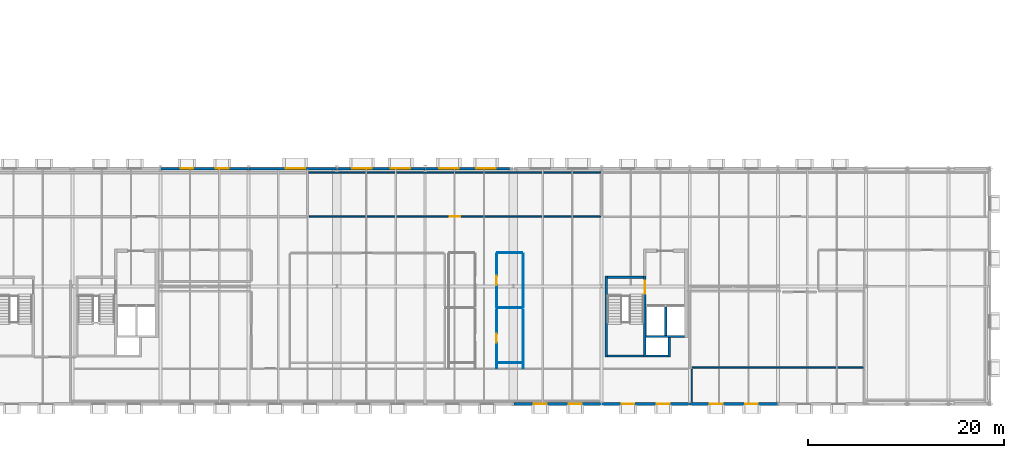
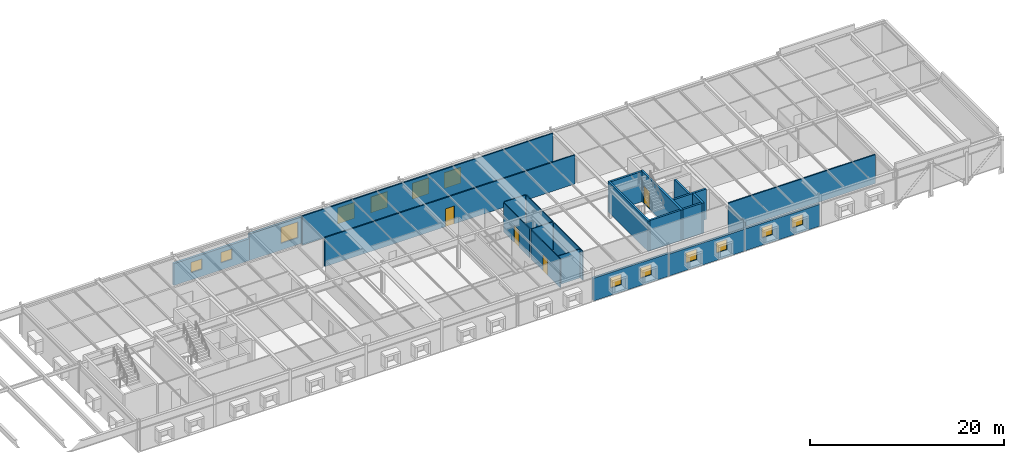
# One storey, part 31 of 36: 26 walls, 13 windows, 4 doors, 17 openings.
"""IFC4 building model written with IfcOpenShell, lengths in metres."""

from ifc_helpers import new_model, si_unit, direction, frame, frame_2d, origin, place, context, subcontext, project, spatial, rectangle, extrude, material, layer, layer_set, type_object, element, fill, save


model = new_model("IFC4")

# Units and contexts
model_context = context("Model", 3, precision=1e-05, world=origin(), true_north=direction((0.0, 1.0)))
body_context = subcontext(model_context, "Body", "Model", "MODEL_VIEW")
ifc_project = project(units=[si_unit("LENGTHUNIT", "METRE"), si_unit("AREAUNIT", "SQUARE_METRE"), si_unit("VOLUMEUNIT", "CUBIC_METRE"), si_unit("PLANEANGLEUNIT", "RADIAN"), si_unit("MASSUNIT", "GRAM", prefix="KILO")], contexts=[model_context])

# Site, building, storey
site_placement = place(None, origin())
site = spatial("IfcSite", under=ifc_project, at=site_placement, CompositionType="ELEMENT")
building_placement = place(site_placement, origin())
building = spatial("IfcBuilding", under=site, at=building_placement, Name="Montelvaro Courts of Justice", CompositionType="ELEMENT")
storey_placement = place(building_placement, frame((0.0, 0.0, 23.39990234375)))
storey = spatial("IfcBuildingStorey", under=building, at=storey_placement, Name="L05", CompositionType="ELEMENT", Elevation=23.39990234375)

# Wall, opening, door
ifc_material_1 = material(Name="Gypsum board on metal stud")
ifc_layer_1 = layer(ifc_material_1, 0.14990234375)
ifc_layer_set_1 = layer_set([ifc_layer_1], Name="Gypsum board on metal stud")
wall_type_1 = type_object("IfcWallType", Name="ChambersPartition_150", PredefinedType="PARTITIONING", material=ifc_layer_set_1)
wall_1_placement = place(storey_placement, frame((107.919921875, 19.10009765625, 0.0), z_axis=(0.0, 0.0, 1.0), x_axis=(-1.0, 0.0, 0.0)))
wall_1 = element("IfcWall", 1, at=wall_1_placement, inside=storey, type_object=wall_type_1, Name="Interior Partition IW-04 (L05)", PredefinedType="PARTITIONING", context=body_context, shape_type="SweptSolid", body=[
    extrude(rectangle(XDim=29.739990234375, YDim=0.14990234375, at=frame_2d((14.8701171875, 0.0))), origin(), (0.0, 0.0, 1.0), 3.64013671875),
])
opening_1_placement = place(wall_1_placement, frame((14.344970703125, 0.0, 0.0)))
opening_1 = element("IfcOpeningElement", 2, at=opening_1_placement, cuts=wall_1, Name="Opening D-L05-153", PredefinedType="OPENING", context=body_context, shape_type="SweptSolid", body=[
    extrude(rectangle(XDim=1.050048828125, YDim=2.25, at=frame_2d((0.52490234375, 1.125))), frame((0.0, 0.08984375, 0.0), z_axis=(0.0, -1.0, 0.0), x_axis=(1.0, 0.0, 0.0)), (0.0, 0.0, 1.0), 0.1796875),
])
ifc_material_2 = material(Name="Acoustic oak timber veneer", Category="wood")
door_type_1 = type_object("IfcDoorType", Name="ChamberDoor_105x225", OperationType="NOTDEFINED", PredefinedType="DOOR", material=ifc_material_2)
door_1_placement = place(opening_1_placement, frame((1.050048828125, 0.0, 0.0), z_axis=(0.0, 0.0, 1.0), x_axis=(-1.0, 0.0, 0.0)))
door_1 = element("IfcDoor", 3, at=door_1_placement, inside=storey, type_object=door_type_1, Name="Interior Door D-L05-153 (Jury Deliberation Suite 02)", OperationType="SINGLE_SWING_LEFT", OverallHeight=2.25, OverallWidth=1.050048828125, PredefinedType="DOOR", context=body_context, shape_type="SweptSolid", body=[
    extrude(rectangle(XDim=1.050048828125, YDim=2.25, at=frame_2d((0.52490234375, 1.125))), frame((0.0, 0.02490234375, 0.0), z_axis=(0.0, -1.0, 0.0), x_axis=(1.0, 0.0, 0.0)), (0.0, 0.0, 1.0), 0.050048828125),
])
fill(opening_1, door_1)

# Walls
wall_2_placement = place(storey_placement, frame((78.094970703125, 23.60009765625, 0.0), z_axis=(0.0, 0.0, 1.0), x_axis=(1.0, 0.0, 0.0)))
element("IfcWall", 4, at=wall_2_placement, inside=storey, type_object=wall_type_1, Name="Interior Partition IW-04 (L05)", PredefinedType="PARTITIONING", context=body_context, shape_type="SweptSolid", body=[
    extrude(rectangle(XDim=29.824951171875, YDim=0.14990234375, at=frame_2d((14.91259765625, 0.0))), origin(), (0.0, 0.0, 1.0), 3.64013671875),
])
wall_3_placement = place(storey_placement, frame((134.719970703125, 3.699951171875, 0.0), z_axis=(0.0, 0.0, 1.0), x_axis=(-1.0, 0.0, 0.0)))
element("IfcWall", 5, at=wall_3_placement, inside=storey, type_object=wall_type_1, Name="Interior Partition IW-04 (L05)", PredefinedType="PARTITIONING", context=body_context, shape_type="SweptSolid", body=[
    extrude(rectangle(XDim=17.43994140625, YDim=0.14990234375, at=frame_2d((8.719970703125, 0.0))), origin(), (0.0, 0.0, 1.0), 3.64013671875),
])

# Wall, opening, window
ifc_material_3 = material(Name="White mineral precast concrete C45/55", Category="concrete")
ifc_layer_2 = layer(ifc_material_3, 0.280029296875)
ifc_layer_set_2 = layer_set([ifc_layer_2], Name="White mineral precast concrete C45/55")
wall_type_2 = type_object("IfcWallType", Name="ExtWall_GFRC_280", PredefinedType="SOLIDWALL", material=ifc_layer_set_2)
wall_4_placement = place(storey_placement, frame((80.94189453125, 24.0, 0.0), z_axis=(0.0, 0.0, 1.0), x_axis=(-1.0, 0.0, 0.0)))
wall_4 = element("IfcWall", 6, at=wall_4_placement, inside=storey, type_object=wall_type_2, Name="Exterior Facade Wall EW-01 (L05)", PredefinedType="SOLIDWALL", context=body_context, shape_type="SweptSolid", body=[
    extrude(rectangle(XDim=8.933837890625, YDim=0.280029296875, at=frame_2d((4.466796875, 0.0))), origin(), (0.0, 0.0, 1.0), 3.315185546875),
])
opening_2_placement = place(wall_4_placement, frame((3.181884765625, 0.0, 0.85009765625)))
opening_2 = element("IfcOpeningElement", 7, at=opening_2_placement, cuts=wall_4, Name="Opening WE-11", PredefinedType="OPENING", context=body_context, shape_type="SweptSolid", body=[
    extrude(rectangle(XDim=2.0, YDim=2.0, at=frame_2d((1.0, 1.0))), frame((0.0, 0.15478515625, 0.0), z_axis=(0.0, -1.0, 0.0), x_axis=(1.0, 0.0, 0.0)), (0.0, 0.0, 1.0), 0.309814453125),
])
ifc_material_4 = material(Name="Low-E solar control double glazing", Category="glass")
window_type_1 = type_object("IfcWindowType", Name="Win_Sq_200x200", PartitioningType="SINGLE_PANEL", PredefinedType="WINDOW", material=ifc_material_4)
window_1_placement = place(opening_2_placement, origin())
window_1 = element("IfcWindow", 8, at=window_1_placement, inside=storey, type_object=window_type_1, Name="Window W-L05-245", OverallHeight=2.0, OverallWidth=2.0, PartitioningType="SINGLE_PANEL", PredefinedType="WINDOW", context=body_context, shape_type="SweptSolid", body=[
    extrude(rectangle(XDim=2.0, YDim=2.0, at=frame_2d((1.0, 1.0))), frame((0.0, 0.030029296875, 0.0), z_axis=(0.0, -1.0, 0.0), x_axis=(1.0, 0.0, 0.0)), (0.0, 0.0, 1.0), 0.06005859375),
])
fill(opening_2, window_1)

# Wall, openings, windows
wall_5_placement = place(storey_placement, frame((71.991943359375, 24.0, 0.0), z_axis=(0.0, 0.0, 1.0), x_axis=(-1.0, 0.0, 0.0)))
wall_5 = element("IfcWall", 9, at=wall_5_placement, inside=storey, type_object=wall_type_2, Name="Exterior Facade Wall EW-01 (L05)", PredefinedType="SOLIDWALL", context=body_context, shape_type="SweptSolid", body=[
    extrude(rectangle(XDim=8.98388671875, YDim=0.280029296875, at=frame_2d((4.491943359375, 0.0))), origin(), (0.0, 0.0, 1.0), 2.7470703125),
])
opening_3_placement = place(wall_5_placement, frame((2.044921875, 0.0, 0.89990234375)))
opening_3 = element("IfcOpeningElement", 10, at=opening_3_placement, cuts=wall_5, Name="Opening WE-18", PredefinedType="OPENING", context=body_context, shape_type="SweptSolid", body=[
    extrude(rectangle(XDim=1.300048828125, YDim=1.300048828125, at=frame_2d((0.64990234375, 0.64990234375))), frame((0.0, 0.15478515625, 0.0), z_axis=(0.0, -1.0, 0.0), x_axis=(1.0, 0.0, 0.0)), (0.0, 0.0, 1.0), 0.309814453125),
])
opening_4_placement = place(wall_5_placement, frame((5.638916015625, 0.0, 0.89990234375)))
opening_4 = element("IfcOpeningElement", 11, at=opening_4_placement, cuts=wall_5, Name="Opening WE-18", PredefinedType="OPENING", context=body_context, shape_type="SweptSolid", body=[
    extrude(rectangle(XDim=1.300048828125, YDim=1.300048828125, at=frame_2d((0.64990234375, 0.64990234375))), frame((0.0, 0.15478515625, 0.0), z_axis=(0.0, -1.0, 0.0), x_axis=(1.0, 0.0, 0.0)), (0.0, 0.0, 1.0), 0.309814453125),
])
window_type_2 = type_object("IfcWindowType", Name="Win_Sq_130x130", PartitioningType="SINGLE_PANEL", PredefinedType="WINDOW", material=ifc_material_4)
window_2_placement = place(opening_3_placement, origin())
window_2 = element("IfcWindow", 12, at=window_2_placement, inside=storey, type_object=window_type_2, Name="Window W-L05-246", OverallHeight=1.300048828125, OverallWidth=1.300048828125, PartitioningType="SINGLE_PANEL", PredefinedType="WINDOW", context=body_context, shape_type="SweptSolid", body=[
    extrude(rectangle(XDim=1.300048828125, YDim=1.300048828125, at=frame_2d((0.64990234375, 0.64990234375))), frame((0.0, 0.030029296875, 0.0), z_axis=(0.0, -1.0, 0.0), x_axis=(1.0, 0.0, 0.0)), (0.0, 0.0, 1.0), 0.06005859375),
])
fill(opening_3, window_2)
window_3_placement = place(opening_4_placement, origin())
window_3 = element("IfcWindow", 13, at=window_3_placement, inside=storey, type_object=window_type_2, Name="Window W-L05-247", OverallHeight=1.300048828125, OverallWidth=1.300048828125, PartitioningType="SINGLE_PANEL", PredefinedType="WINDOW", context=body_context, shape_type="SweptSolid", body=[
    extrude(rectangle(XDim=1.300048828125, YDim=1.300048828125, at=frame_2d((0.64990234375, 0.64990234375))), frame((0.0, 0.030029296875, 0.0), z_axis=(0.0, -1.0, 0.0), x_axis=(1.0, 0.0, 0.0)), (0.0, 0.0, 1.0), 0.06005859375),
])
fill(opening_4, window_3)

wall_6_placement = place(storey_placement, frame((98.626953125, 24.0, 0.0), z_axis=(0.0, 0.0, 1.0), x_axis=(-1.0, 0.0, 0.0)))
wall_6 = element("IfcWall", 14, at=wall_6_placement, inside=storey, type_object=wall_type_2, Name="Exterior Facade Wall EW-01 (L05)", PredefinedType="SOLIDWALL", context=body_context, shape_type="SweptSolid", body=[
    extrude(rectangle(XDim=8.618896484375, YDim=0.280029296875, at=frame_2d((4.3095703125, 0.0))), origin(), (0.0, 0.0, 1.0), 3.315185546875),
])
opening_5_placement = place(wall_6_placement, frame((1.4130859375, 0.0, 0.85009765625)))
opening_5 = element("IfcOpeningElement", 15, at=opening_5_placement, cuts=wall_6, Name="Opening WE-11", PredefinedType="OPENING", context=body_context, shape_type="SweptSolid", body=[
    extrude(rectangle(XDim=2.0, YDim=2.0, at=frame_2d((1.0, 1.0))), frame((0.0, 0.15478515625, 0.0), z_axis=(0.0, -1.0, 0.0), x_axis=(1.0, 0.0, 0.0)), (0.0, 0.0, 1.0), 0.309814453125),
])
opening_6_placement = place(wall_6_placement, frame((5.2060546875, 0.0, 0.85009765625)))
opening_6 = element("IfcOpeningElement", 16, at=opening_6_placement, cuts=wall_6, Name="Opening WE-11", PredefinedType="OPENING", context=body_context, shape_type="SweptSolid", body=[
    extrude(rectangle(XDim=2.0, YDim=2.0, at=frame_2d((1.0, 1.0))), frame((0.0, 0.15478515625, 0.0), z_axis=(0.0, -1.0, 0.0), x_axis=(1.0, 0.0, 0.0)), (0.0, 0.0, 1.0), 0.309814453125),
])
window_4_placement = place(opening_5_placement, origin())
window_4 = element("IfcWindow", 17, at=window_4_placement, inside=storey, type_object=window_type_1, Name="Window W-L05-260", OverallHeight=2.0, OverallWidth=2.0, PartitioningType="SINGLE_PANEL", PredefinedType="WINDOW", context=body_context, shape_type="SweptSolid", body=[
    extrude(rectangle(XDim=2.0, YDim=2.0, at=frame_2d((1.0, 1.0))), frame((0.0, 0.030029296875, 0.0), z_axis=(0.0, -1.0, 0.0), x_axis=(1.0, 0.0, 0.0)), (0.0, 0.0, 1.0), 0.06005859375),
])
fill(opening_5, window_4)
window_5_placement = place(opening_6_placement, origin())
window_5 = element("IfcWindow", 18, at=window_5_placement, inside=storey, type_object=window_type_1, Name="Window W-L05-261", OverallHeight=2.0, OverallWidth=2.0, PartitioningType="SINGLE_PANEL", PredefinedType="WINDOW", context=body_context, shape_type="SweptSolid", body=[
    extrude(rectangle(XDim=2.0, YDim=2.0, at=frame_2d((1.0, 1.0))), frame((0.0, 0.030029296875, 0.0), z_axis=(0.0, -1.0, 0.0), x_axis=(1.0, 0.0, 0.0)), (0.0, 0.0, 1.0), 0.06005859375),
])
fill(opening_6, window_5)

wall_7_placement = place(storey_placement, frame((89.991943359375, 24.0, 0.0), z_axis=(0.0, 0.0, 1.0), x_axis=(-1.0, 0.0, 0.0)))
wall_7 = element("IfcWall", 19, at=wall_7_placement, inside=storey, type_object=wall_type_2, Name="Exterior Facade Wall EW-01 (L05)", PredefinedType="SOLIDWALL", context=body_context, shape_type="SweptSolid", body=[
    extrude(rectangle(XDim=8.933837890625, YDim=0.280029296875, at=frame_2d((4.466796875, 0.0))), origin(), (0.0, 0.0, 1.0), 3.315185546875),
])
opening_7_placement = place(wall_7_placement, frame((1.501953125, 0.0, 0.85009765625)))
opening_7 = element("IfcOpeningElement", 20, at=opening_7_placement, cuts=wall_7, Name="Opening WE-11", PredefinedType="OPENING", context=body_context, shape_type="SweptSolid", body=[
    extrude(rectangle(XDim=2.0, YDim=2.0, at=frame_2d((1.0, 1.0))), frame((0.0, 0.15478515625, 0.0), z_axis=(0.0, -1.0, 0.0), x_axis=(1.0, 0.0, 0.0)), (0.0, 0.0, 1.0), 0.309814453125),
])
opening_8_placement = place(wall_7_placement, frame((5.431884765625, 0.0, 0.85009765625)))
opening_8 = element("IfcOpeningElement", 21, at=opening_8_placement, cuts=wall_7, Name="Opening WE-11", PredefinedType="OPENING", context=body_context, shape_type="SweptSolid", body=[
    extrude(rectangle(XDim=2.0, YDim=2.0, at=frame_2d((1.0, 1.0))), frame((0.0, 0.15478515625, 0.0), z_axis=(0.0, -1.0, 0.0), x_axis=(1.0, 0.0, 0.0)), (0.0, 0.0, 1.0), 0.309814453125),
])
window_6_placement = place(opening_7_placement, origin())
window_6 = element("IfcWindow", 22, at=window_6_placement, inside=storey, type_object=window_type_1, Name="Window W-L05-262", OverallHeight=2.0, OverallWidth=2.0, PartitioningType="SINGLE_PANEL", PredefinedType="WINDOW", context=body_context, shape_type="SweptSolid", body=[
    extrude(rectangle(XDim=2.0, YDim=2.0, at=frame_2d((1.0, 1.0))), frame((0.0, 0.030029296875, 0.0), z_axis=(0.0, -1.0, 0.0), x_axis=(1.0, 0.0, 0.0)), (0.0, 0.0, 1.0), 0.06005859375),
])
fill(opening_7, window_6)
window_7_placement = place(opening_8_placement, origin())
window_7 = element("IfcWindow", 23, at=window_7_placement, inside=storey, type_object=window_type_1, Name="Window W-L05-263", OverallHeight=2.0, OverallWidth=2.0, PartitioningType="SINGLE_PANEL", PredefinedType="WINDOW", context=body_context, shape_type="SweptSolid", body=[
    extrude(rectangle(XDim=2.0, YDim=2.0, at=frame_2d((1.0, 1.0))), frame((0.0, 0.030029296875, 0.0), z_axis=(0.0, -1.0, 0.0), x_axis=(1.0, 0.0, 0.0)), (0.0, 0.0, 1.0), 0.06005859375),
])
fill(opening_8, window_7)

wall_8_placement = place(storey_placement, frame((99.05810546875, 0.0, 0.0), z_axis=(0.0, 0.0, 1.0), x_axis=(1.0, 0.0, 0.0)))
wall_8 = element("IfcWall", 24, at=wall_8_placement, inside=storey, type_object=wall_type_2, Name="Exterior Facade Wall EW-01 (L05)", PredefinedType="SOLIDWALL", context=body_context, shape_type="SweptSolid", body=[
    extrude(rectangle(XDim=8.933837890625, YDim=0.280029296875, at=frame_2d((4.466796875, 0.0))), origin(), (0.0, 0.0, 1.0), 2.85498046875),
])
opening_9_placement = place(wall_8_placement, frame((2.030029296875, 0.0, 0.89990234375)))
opening_9 = element("IfcOpeningElement", 25, at=opening_9_placement, cuts=wall_8, Name="Opening WE-18", PredefinedType="OPENING", context=body_context, shape_type="SweptSolid", body=[
    extrude(rectangle(XDim=1.300048828125, YDim=1.300048828125, at=frame_2d((0.64990234375, 0.64990234375))), frame((0.0, 0.15478515625, 0.0), z_axis=(0.0, -1.0, 0.0), x_axis=(1.0, 0.0, 0.0)), (0.0, 0.0, 1.0), 0.309814453125),
])
opening_10_placement = place(wall_8_placement, frame((5.60400390625, 0.0, 0.89990234375)))
opening_10 = element("IfcOpeningElement", 26, at=opening_10_placement, cuts=wall_8, Name="Opening WE-18", PredefinedType="OPENING", context=body_context, shape_type="SweptSolid", body=[
    extrude(rectangle(XDim=1.300048828125, YDim=1.300048828125, at=frame_2d((0.64990234375, 0.64990234375))), frame((0.0, 0.15478515625, 0.0), z_axis=(0.0, -1.0, 0.0), x_axis=(1.0, 0.0, 0.0)), (0.0, 0.0, 1.0), 0.309814453125),
])
window_8_placement = place(opening_9_placement, origin())
window_8 = element("IfcWindow", 27, at=window_8_placement, inside=storey, type_object=window_type_2, Name="Window W-L05-264", OverallHeight=1.300048828125, OverallWidth=1.300048828125, PartitioningType="SINGLE_PANEL", PredefinedType="WINDOW", context=body_context, shape_type="SweptSolid", body=[
    extrude(rectangle(XDim=1.300048828125, YDim=1.300048828125, at=frame_2d((0.64990234375, 0.64990234375))), frame((0.0, 0.030029296875, 0.0), z_axis=(0.0, -1.0, 0.0), x_axis=(1.0, 0.0, 0.0)), (0.0, 0.0, 1.0), 0.06005859375),
])
fill(opening_9, window_8)
window_9_placement = place(opening_10_placement, origin())
window_9 = element("IfcWindow", 28, at=window_9_placement, inside=storey, type_object=window_type_2, Name="Window W-L05-265", OverallHeight=1.300048828125, OverallWidth=1.300048828125, PartitioningType="SINGLE_PANEL", PredefinedType="WINDOW", context=body_context, shape_type="SweptSolid", body=[
    extrude(rectangle(XDim=1.300048828125, YDim=1.300048828125, at=frame_2d((0.64990234375, 0.64990234375))), frame((0.0, 0.030029296875, 0.0), z_axis=(0.0, -1.0, 0.0), x_axis=(1.0, 0.0, 0.0)), (0.0, 0.0, 1.0), 0.06005859375),
])
fill(opening_10, window_9)

wall_9_placement = place(storey_placement, frame((108.008056640625, 0.0, 0.0), z_axis=(0.0, 0.0, 1.0), x_axis=(1.0, 0.0, 0.0)))
wall_9 = element("IfcWall", 29, at=wall_9_placement, inside=storey, type_object=wall_type_2, Name="Exterior Facade Wall EW-01 (L05)", PredefinedType="SOLIDWALL", context=body_context, shape_type="SweptSolid", body=[
    extrude(rectangle(XDim=8.98388671875, YDim=0.280029296875, at=frame_2d((4.491943359375, 0.0))), origin(), (0.0, 0.0, 1.0), 2.7470703125),
])
opening_11_placement = place(wall_9_placement, frame((2.044921875, 0.0, 0.89990234375)))
opening_11 = element("IfcOpeningElement", 30, at=opening_11_placement, cuts=wall_9, Name="Opening WE-18", PredefinedType="OPENING", context=body_context, shape_type="SweptSolid", body=[
    extrude(rectangle(XDim=1.300048828125, YDim=1.300048828125, at=frame_2d((0.64990234375, 0.64990234375))), frame((0.0, 0.15478515625, 0.0), z_axis=(0.0, -1.0, 0.0), x_axis=(1.0, 0.0, 0.0)), (0.0, 0.0, 1.0), 0.309814453125),
])
opening_12_placement = place(wall_9_placement, frame((5.638916015625, 0.0, 0.89990234375)))
opening_12 = element("IfcOpeningElement", 31, at=opening_12_placement, cuts=wall_9, Name="Opening WE-18", PredefinedType="OPENING", context=body_context, shape_type="SweptSolid", body=[
    extrude(rectangle(XDim=1.300048828125, YDim=1.300048828125, at=frame_2d((0.64990234375, 0.64990234375))), frame((0.0, 0.15478515625, 0.0), z_axis=(0.0, -1.0, 0.0), x_axis=(1.0, 0.0, 0.0)), (0.0, 0.0, 1.0), 0.309814453125),
])
window_10_placement = place(opening_11_placement, origin())
window_10 = element("IfcWindow", 32, at=window_10_placement, inside=storey, type_object=window_type_2, Name="Window W-L05-266", OverallHeight=1.300048828125, OverallWidth=1.300048828125, PartitioningType="SINGLE_PANEL", PredefinedType="WINDOW", context=body_context, shape_type="SweptSolid", body=[
    extrude(rectangle(XDim=1.300048828125, YDim=1.300048828125, at=frame_2d((0.64990234375, 0.64990234375))), frame((0.0, 0.030029296875, 0.0), z_axis=(0.0, -1.0, 0.0), x_axis=(1.0, 0.0, 0.0)), (0.0, 0.0, 1.0), 0.06005859375),
])
fill(opening_11, window_10)
window_11_placement = place(opening_12_placement, origin())
window_11 = element("IfcWindow", 33, at=window_11_placement, inside=storey, type_object=window_type_2, Name="Window W-L05-267", OverallHeight=1.300048828125, OverallWidth=1.300048828125, PartitioningType="SINGLE_PANEL", PredefinedType="WINDOW", context=body_context, shape_type="SweptSolid", body=[
    extrude(rectangle(XDim=1.300048828125, YDim=1.300048828125, at=frame_2d((0.64990234375, 0.64990234375))), frame((0.0, 0.030029296875, 0.0), z_axis=(0.0, -1.0, 0.0), x_axis=(1.0, 0.0, 0.0)), (0.0, 0.0, 1.0), 0.06005859375),
])
fill(opening_12, window_11)

wall_10_placement = place(storey_placement, frame((117.008056640625, 0.0, 0.0), z_axis=(0.0, 0.0, 1.0), x_axis=(1.0, 0.0, 0.0)))
wall_10 = element("IfcWall", 34, at=wall_10_placement, inside=storey, type_object=wall_type_2, Name="Exterior Facade Wall EW-01 (L05)", PredefinedType="SOLIDWALL", context=body_context, shape_type="SweptSolid", body=[
    extrude(rectangle(XDim=8.98388671875, YDim=0.280029296875, at=frame_2d((4.491943359375, 0.0))), origin(), (0.0, 0.0, 1.0), 2.7470703125),
])
opening_13_placement = place(wall_10_placement, frame((2.044921875, 0.0, 0.89990234375)))
opening_13 = element("IfcOpeningElement", 35, at=opening_13_placement, cuts=wall_10, Name="Opening WE-18", PredefinedType="OPENING", context=body_context, shape_type="SweptSolid", body=[
    extrude(rectangle(XDim=1.300048828125, YDim=1.300048828125, at=frame_2d((0.64990234375, 0.64990234375))), frame((0.0, 0.15478515625, 0.0), z_axis=(0.0, -1.0, 0.0), x_axis=(1.0, 0.0, 0.0)), (0.0, 0.0, 1.0), 0.309814453125),
])
opening_14_placement = place(wall_10_placement, frame((5.638916015625, 0.0, 0.89990234375)))
opening_14 = element("IfcOpeningElement", 36, at=opening_14_placement, cuts=wall_10, Name="Opening WE-18", PredefinedType="OPENING", context=body_context, shape_type="SweptSolid", body=[
    extrude(rectangle(XDim=1.300048828125, YDim=1.300048828125, at=frame_2d((0.64990234375, 0.64990234375))), frame((0.0, 0.15478515625, 0.0), z_axis=(0.0, -1.0, 0.0), x_axis=(1.0, 0.0, 0.0)), (0.0, 0.0, 1.0), 0.309814453125),
])
window_12_placement = place(opening_13_placement, origin())
window_12 = element("IfcWindow", 37, at=window_12_placement, inside=storey, type_object=window_type_2, Name="Window W-L05-268", OverallHeight=1.300048828125, OverallWidth=1.300048828125, PartitioningType="SINGLE_PANEL", PredefinedType="WINDOW", context=body_context, shape_type="SweptSolid", body=[
    extrude(rectangle(XDim=1.300048828125, YDim=1.300048828125, at=frame_2d((0.64990234375, 0.64990234375))), frame((0.0, 0.030029296875, 0.0), z_axis=(0.0, -1.0, 0.0), x_axis=(1.0, 0.0, 0.0)), (0.0, 0.0, 1.0), 0.06005859375),
])
fill(opening_13, window_12)
window_13_placement = place(opening_14_placement, origin())
window_13 = element("IfcWindow", 38, at=window_13_placement, inside=storey, type_object=window_type_2, Name="Window W-L05-269", OverallHeight=1.300048828125, OverallWidth=1.300048828125, PartitioningType="SINGLE_PANEL", PredefinedType="WINDOW", context=body_context, shape_type="SweptSolid", body=[
    extrude(rectangle(XDim=1.300048828125, YDim=1.300048828125, at=frame_2d((0.64990234375, 0.64990234375))), frame((0.0, 0.030029296875, 0.0), z_axis=(0.0, -1.0, 0.0), x_axis=(1.0, 0.0, 0.0)), (0.0, 0.0, 1.0), 0.06005859375),
])
fill(opening_14, window_13)

# Walls
ifc_layer_3 = layer(ifc_material_1, 0.1201171875)
ifc_layer_set_3 = layer_set([ifc_layer_3], Name="Gypsum board on metal stud")
wall_type_3 = type_object("IfcWallType", Name="OfficePartition_120", PredefinedType="PARTITIONING", material=ifc_layer_set_3)
wall_11_placement = place(storey_placement, frame((117.199951171875, 3.52001953125, 0.0), z_axis=(0.0, 0.0, 1.0), x_axis=(0.0, -1.0, 0.0)))
element("IfcWall", 39, at=wall_11_placement, inside=storey, type_object=wall_type_3, Name="Interior Partition IW-05 (L05)", PredefinedType="PARTITIONING", context=body_context, shape_type="SweptSolid", body=[
    extrude(rectangle(XDim=3.362060546875, YDim=0.1201171875, at=frame_2d((1.68115234375, 0.0))), origin(), (0.0, 0.0, 1.0), 3.364990234375),
])
ifc_material_5 = material(Name="Concrete C35/45", Category="concrete")
ifc_layer_4 = layer(ifc_material_5, 0.239990234375)
ifc_layer_set_4 = layer_set([ifc_layer_4], Name="Concrete C35/45")
wall_type_4 = type_object("IfcWallType", Name="ShaftWall_240", PredefinedType="SHEAR", material=ifc_layer_set_4)
wall_12_placement = place(storey_placement, frame((108.47998046875, 4.760009765625, 0.0), z_axis=(0.0, 0.0, 1.0), x_axis=(0.0, 1.0, 0.0)))
element("IfcWall", 40, at=wall_12_placement, inside=storey, type_object=wall_type_4, Name="Protected Stair Structural Wall ST-K2-W (L05)", PredefinedType="SHEAR", context=body_context, shape_type="SweptSolid", body=[
    extrude(rectangle(XDim=8.280029296875, YDim=0.239990234375, at=frame_2d((4.14013671875, 0.0))), origin(), (0.0, 0.0, 1.0), 3.81005859375),
])

# Wall, opening, door
wall_13_placement = place(storey_placement, frame((112.419921875, 4.760009765625, 0.0), z_axis=(0.0, 0.0, 1.0), x_axis=(0.0, 1.0, 0.0)))
wall_13 = element("IfcWall", 41, at=wall_13_placement, inside=storey, type_object=wall_type_4, Name="Protected Stair Structural Wall ST-K2-E (L05)", PredefinedType="SHEAR", context=body_context, shape_type="SweptSolid", body=[
    extrude(rectangle(XDim=8.280029296875, YDim=0.239990234375, at=frame_2d((4.14013671875, 0.0))), origin(), (0.0, 0.0, 1.0), 3.81005859375),
])
opening_15_placement = place(wall_13_placement, frame((6.489990234375, 0.0, 0.0)))
opening_15 = element("IfcOpeningElement", 42, at=opening_15_placement, cuts=wall_13, Name="Opening DS-L05-K2", PredefinedType="OPENING", context=body_context, shape_type="SweptSolid", body=[
    extrude(rectangle(XDim=1.300048828125, YDim=2.199951171875, at=frame_2d((0.64990234375, 1.10009765625))), frame((0.0, 0.134765625, 0.0), z_axis=(0.0, -1.0, 0.0), x_axis=(1.0, 0.0, 0.0)), (0.0, 0.0, 1.0), 0.269775390625),
])
ifc_material_6 = material(Name="Galvanised steel S355 security door", Category="steel")
door_type_2 = type_object("IfcDoorType", Name="StairFireDoor_130x220", OperationType="NOTDEFINED", PredefinedType="DOOR", material=ifc_material_6)
door_2_placement = place(opening_15_placement, frame((1.300048828125, 0.0, 0.0), z_axis=(0.0, 0.0, 1.0), x_axis=(-1.0, 0.0, 0.0)))
door_2 = element("IfcDoor", 43, at=door_2_placement, inside=storey, type_object=door_type_2, Name="Protected Stair Fire Door DS-L05-K2", OperationType="SINGLE_SWING_LEFT", OverallHeight=2.199951171875, OverallWidth=1.300048828125, PredefinedType="DOOR", context=body_context, shape_type="SweptSolid", body=[
    extrude(rectangle(XDim=1.300048828125, YDim=2.199951171875, at=frame_2d((0.64990234375, 1.10009765625))), frame((0.0, 0.02490234375, 0.0), z_axis=(0.0, -1.0, 0.0), x_axis=(1.0, 0.0, 0.0)), (0.0, 0.0, 1.0), 0.050048828125),
])
fill(opening_15, door_2)

# Walls
for number, where, z_axis, x_axis, name in (
    (44, (108.60009765625, 4.8798828125, 0.0), (0.0, 0.0, 1.0), (1.0, 0.0, 0.0), "Protected Stair Structural Wall ST-K2-S (L05)"),
    (45, (108.60009765625, 12.919921875, 0.0), (0.0, 0.0, 1.0), (1.0, 0.0, 0.0), "Protected Stair Structural Wall ST-K2-N (L05)"),
):
    element("IfcWall", number, at=place(storey_placement, frame(where, z_axis=z_axis, x_axis=x_axis)), inside=storey, type_object=wall_type_4, Name=name, PredefinedType="SHEAR", context=body_context, shape_type="SweptSolid", body=[
        extrude(rectangle(XDim=3.699951171875, YDim=0.239990234375, at=frame_2d((1.85009765625, 0.0))), origin(), (0.0, 0.0, 1.0), 3.81005859375),
    ])
wall_14_placement = place(storey_placement, frame((112.5400390625, 6.8798828125, 0.0), z_axis=(0.0, 0.0, 1.0), x_axis=(1.0, 0.0, 0.0)))
element("IfcWall", 46, at=wall_14_placement, inside=storey, type_object=wall_type_4, Name="Lift Shaft Back Wall K2 (L05)", PredefinedType="SHEAR", context=body_context, shape_type="SweptSolid", body=[
    extrude(rectangle(XDim=3.89990234375, YDim=0.239990234375, at=frame_2d((1.949951171875, 0.0))), origin(), (0.0, 0.0, 1.0), 3.81005859375),
])
wall_15_placement = place(storey_placement, frame((114.550048828125, 7.0, 0.0), z_axis=(0.0, 0.0, 1.0), x_axis=(0.0, 1.0, 0.0)))
element("IfcWall", 47, at=wall_15_placement, inside=storey, type_object=wall_type_4, Name="Lift Shaft Divider Wall K2-LFD1 (L05)", PredefinedType="SHEAR", context=body_context, shape_type="SweptSolid", body=[
    extrude(rectangle(XDim=2.89990234375, YDim=0.239990234375, at=frame_2d((1.449951171875, 0.0))), origin(), (0.0, 0.0, 1.0), 3.81005859375),
])
wall_16_placement = place(storey_placement, frame((114.919921875, 4.760009765625, 0.0), z_axis=(0.0, 0.0, 1.0), x_axis=(0.0, 1.0, 0.0)))
element("IfcWall", 48, at=wall_16_placement, inside=storey, type_object=wall_type_4, Name="Service Riser East Shaft Wall K2 (L05)", PredefinedType="SHEAR", context=body_context, shape_type="SweptSolid", body=[
    extrude(rectangle(XDim=2.0, YDim=0.239990234375, at=frame_2d((1.0, 0.0))), origin(), (0.0, 0.0, 1.0), 3.81005859375),
])
wall_17_placement = place(storey_placement, frame((112.5400390625, 4.8798828125, 0.0), z_axis=(0.0, 0.0, 1.0), x_axis=(1.0, 0.0, 0.0)))
element("IfcWall", 49, at=wall_17_placement, inside=storey, type_object=wall_type_4, Name="Service Riser South Shaft Wall K2 (L05)", PredefinedType="SHEAR", context=body_context, shape_type="SweptSolid", body=[
    extrude(rectangle(XDim=2.260009765625, YDim=0.239990234375, at=frame_2d((1.1298828125, 0.0))), origin(), (0.0, 0.0, 1.0), 3.81005859375),
])
ifc_material_7 = material(Name="Moisture-resistant cement board")
ifc_layer_5 = layer(ifc_material_7, 0.10009765625)
ifc_layer_set_5 = layer_set([ifc_layer_5], Name="Moisture-resistant cement board")
wall_type_5 = type_object("IfcWallType", Name="WetWall_100", PredefinedType="PARTITIONING", material=ifc_layer_set_5)
wall_18_placement = place(storey_placement, frame((100.0, 15.320068359375, 0.0), z_axis=(0.0, 0.0, 1.0), x_axis=(0.0, -1.0, 0.0)))
element("IfcWall", 50, at=wall_18_placement, inside=storey, type_object=wall_type_5, Name="Interior Partition IW-06 (L05)", PredefinedType="PARTITIONING", context=body_context, shape_type="SweptSolid", body=[
    extrude(rectangle(XDim=5.440185546875, YDim=0.10009765625, at=frame_2d((2.72021484375, 0.0))), origin(), (0.0, 0.0, 1.0), 3.64013671875),
])
wall_19_placement = place(storey_placement, frame((99.919921875, 9.800048828125, 0.0), z_axis=(0.0, 0.0, 1.0), x_axis=(-1.0, 0.0, 0.0)))
element("IfcWall", 51, at=wall_19_placement, inside=storey, type_object=wall_type_5, Name="Interior Partition IW-06 (L05)", PredefinedType="PARTITIONING", context=body_context, shape_type="SweptSolid", body=[
    extrude(rectangle(XDim=2.5400390625, YDim=0.10009765625, at=frame_2d((1.27001953125, 0.0))), origin(), (0.0, 0.0, 1.0), 3.64013671875),
])

# Wall, opening, door
wall_20_placement = place(storey_placement, frame((97.300048828125, 9.8798828125, 0.0), z_axis=(0.0, 0.0, 1.0), x_axis=(0.0, 1.0, 0.0)))
wall_20 = element("IfcWall", 52, at=wall_20_placement, inside=storey, type_object=wall_type_5, Name="Interior Partition IW-06 (L05)", PredefinedType="PARTITIONING", context=body_context, shape_type="SweptSolid", body=[
    extrude(rectangle(XDim=5.440185546875, YDim=0.10009765625, at=frame_2d((2.72021484375, 0.0))), origin(), (0.0, 0.0, 1.0), 3.64013671875),
])
opening_16_placement = place(wall_20_placement, frame((2.219970703125, 0.0, 0.0)))
opening_16 = element("IfcOpeningElement", 53, at=opening_16_placement, cuts=wall_20, Name="Opening D-L05-161", PredefinedType="OPENING", context=body_context, shape_type="SweptSolid", body=[
    extrude(rectangle(XDim=1.0, YDim=2.10009765625, at=frame_2d((0.5, 1.050048828125))), frame((0.0, 0.06494140625, 0.0), z_axis=(0.0, -1.0, 0.0), x_axis=(1.0, 0.0, 0.0)), (0.0, 0.0, 1.0), 0.1298828125),
])
door_type_3 = type_object("IfcDoorType", Name="AccessibleWCDoor_100x210", OperationType="NOTDEFINED", PredefinedType="DOOR", material=ifc_material_2)
door_3_placement = place(opening_16_placement, frame((1.0, 0.0, 0.0), z_axis=(0.0, 0.0, 1.0), x_axis=(-1.0, 0.0, 0.0)))
door_3 = element("IfcDoor", 54, at=door_3_placement, inside=storey, type_object=door_type_3, Name="Interior Door D-L05-161 (Fifth Floor Accessible WC)", OperationType="SINGLE_SWING_LEFT", OverallHeight=2.10009765625, OverallWidth=1.0, PredefinedType="DOOR", context=body_context, shape_type="SweptSolid", body=[
    extrude(rectangle(XDim=1.0, YDim=2.10009765625, at=frame_2d((0.5, 1.050048828125))), frame((0.0, 0.02490234375, 0.0), z_axis=(0.0, -1.0, 0.0), x_axis=(1.0, 0.0, 0.0)), (0.0, 0.0, 1.0), 0.050048828125),
])
fill(opening_16, door_3)

# Walls
for number, where, z_axis, x_axis, name in (
    (55, (97.3798828125, 15.39990234375, 0.0), (0.0, 0.0, 1.0), (1.0, 0.0, 0.0), "Interior Partition IW-06 (L05)"),
    (56, (99.919921875, 4.199951171875, 0.0), (0.0, 0.0, 1.0), (-1.0, 0.0, 0.0), "Interior Partition IW-06 (L05)"),
):
    element("IfcWall", number, at=place(storey_placement, frame(where, z_axis=z_axis, x_axis=x_axis)), inside=storey, type_object=wall_type_5, Name=name, PredefinedType="PARTITIONING", context=body_context, shape_type="SweptSolid", body=[
        extrude(rectangle(XDim=2.5400390625, YDim=0.10009765625, at=frame_2d((1.27001953125, 0.0))), origin(), (0.0, 0.0, 1.0), 3.64013671875),
    ])

# Wall, opening, door
wall_21_placement = place(storey_placement, frame((97.300048828125, 3.655029296875, 0.0), z_axis=(0.0, 0.0, 1.0), x_axis=(0.0, 1.0, 0.0)))
wall_21 = element("IfcWall", 57, at=wall_21_placement, inside=storey, type_object=wall_type_5, Name="Interior Partition IW-06 (L05)", PredefinedType="PARTITIONING", context=body_context, shape_type="SweptSolid", body=[
    extrude(rectangle(XDim=5.965087890625, YDim=0.10009765625, at=frame_2d((2.982421875, 0.0))), origin(), (0.0, 0.0, 1.0), 3.64013671875),
])
opening_17_placement = place(wall_21_placement, frame((2.5859375, 0.0, 0.0)))
opening_17 = element("IfcOpeningElement", 58, at=opening_17_placement, cuts=wall_21, Name="Opening D-L05-162", PredefinedType="OPENING", context=body_context, shape_type="SweptSolid", body=[
    extrude(rectangle(XDim=0.89990234375, YDim=2.050048828125, at=frame_2d((0.449951171875, 1.02490234375))), frame((0.0, 0.06494140625, 0.0), z_axis=(0.0, -1.0, 0.0), x_axis=(1.0, 0.0, 0.0)), (0.0, 0.0, 1.0), 0.1298828125),
])
door_type_4 = type_object("IfcDoorType", Name="RestroomDoor_090x205", OperationType="NOTDEFINED", PredefinedType="DOOR", material=ifc_material_2)
door_4_placement = place(opening_17_placement, origin())
door_4 = element("IfcDoor", 59, at=door_4_placement, inside=storey, type_object=door_type_4, Name="Interior Door D-L05-162 (Fifth Floor Cleaners' Store)", OperationType="SINGLE_SWING_RIGHT", OverallHeight=2.050048828125, OverallWidth=0.89990234375, PredefinedType="DOOR", context=body_context, shape_type="SweptSolid", body=[
    extrude(rectangle(XDim=0.89990234375, YDim=2.050048828125, at=frame_2d((0.449951171875, 1.02490234375))), frame((0.0, 0.02490234375, 0.0), z_axis=(0.0, -1.0, 0.0), x_axis=(1.0, 0.0, 0.0)), (0.0, 0.0, 1.0), 0.050048828125),
])
fill(opening_17, door_4)

# Wall
wall_22_placement = place(storey_placement, frame((100.0, 9.6201171875, 0.0), z_axis=(0.0, 0.0, 1.0), x_axis=(0.0, -1.0, 0.0)))
element("IfcWall", 60, at=wall_22_placement, inside=storey, type_object=wall_type_5, Name="Interior Partition IW-06 (L05)", PredefinedType="PARTITIONING", context=body_context, shape_type="SweptSolid", body=[
    extrude(rectangle(XDim=5.965087890625, YDim=0.10009765625, at=frame_2d((2.982421875, 0.0))), origin(), (0.0, 0.0, 1.0), 3.64013671875),
])

save(model, "model.ifc")
